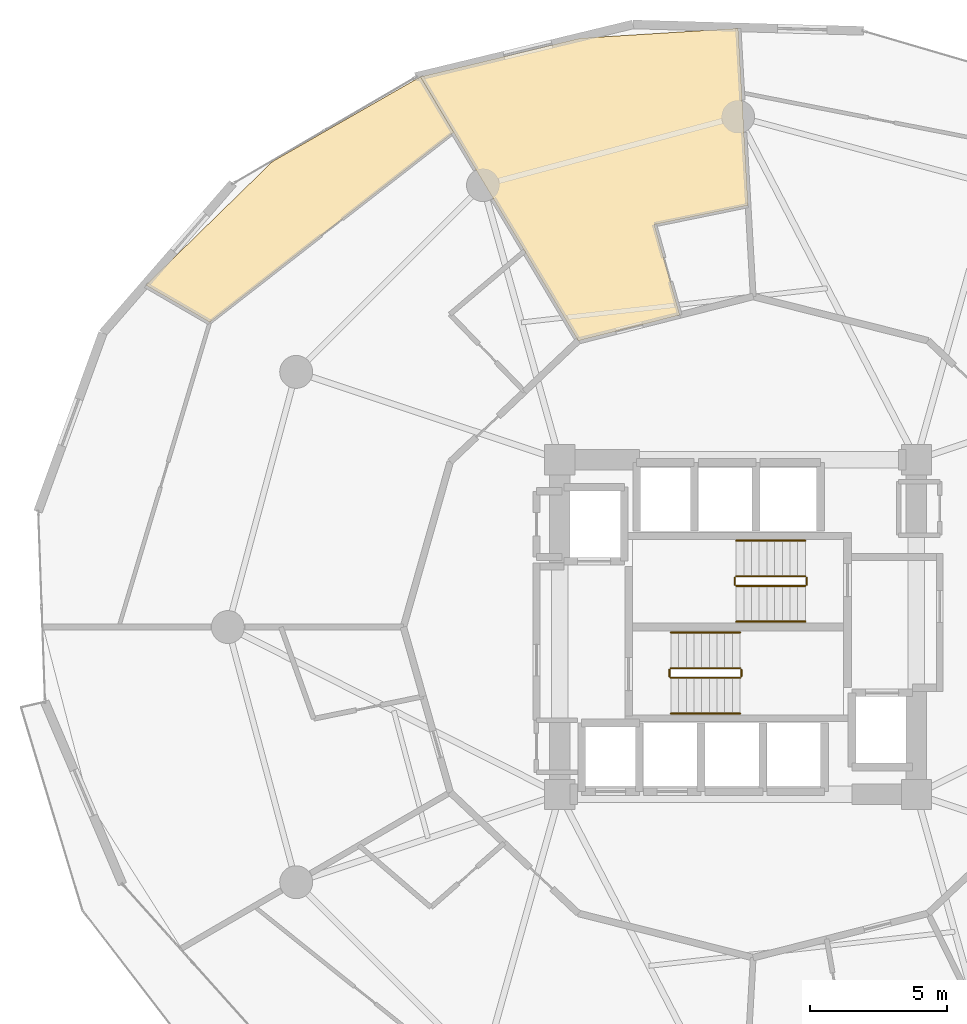
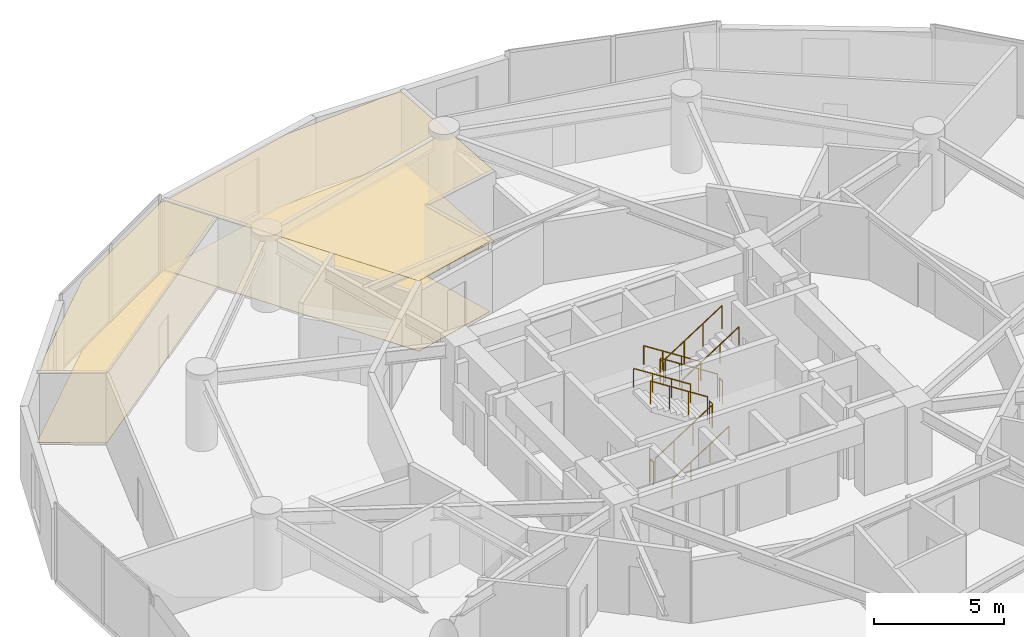
# One storey, part 22 of 23: 12 railings, 4 coverings.
"""IFC4 building model written with IfcOpenShell, lengths in metres."""

from ifc_helpers import new_model, si_unit, direction, frame, origin, origin_2d, place, context, subcontext, project, spatial, polyline, circle, outline, extrude, material, layer, layer_set, type_object, element, save


model = new_model("IFC4")

# Units and contexts
model_context = context("Model", 3, precision=1e-05, world=origin(), true_north=direction((0.0, 1.0)))
body_context = subcontext(model_context, "Body", "Model", "MODEL_VIEW")
ifc_project = project(units=[si_unit("LENGTHUNIT", "METRE"), si_unit("AREAUNIT", "SQUARE_METRE"), si_unit("VOLUMEUNIT", "CUBIC_METRE"), si_unit("PLANEANGLEUNIT", "RADIAN"), si_unit("MASSUNIT", "GRAM", prefix="KILO")], contexts=[model_context])

# Site, building, storey
site_placement = place(None, origin())
site = spatial("IfcSite", under=ifc_project, at=site_placement, CompositionType="ELEMENT")
building_placement = place(site_placement, origin())
building = spatial("IfcBuilding", under=site, at=building_placement, Name="Solvirekh Grand Hotel", CompositionType="ELEMENT")
storey_placement = place(building_placement, frame((0.0, 0.0, 42.800048828125)))
storey = spatial("IfcBuildingStorey", under=building, at=storey_placement, Name="L09", CompositionType="ELEMENT", Elevation=42.800048828125)

# Coverings
ifc_material_1 = material(Name="Acoustic Mineral Ceiling Tile")
ifc_layer_1 = layer(ifc_material_1, 0.02490234375)
ifc_layer_set_1 = layer_set([ifc_layer_1], Name="Acoustic Mineral Ceiling Tile")
covering_type_1 = type_object("IfcCoveringType", Name="Cov_Ceiling_Acoustic", PredefinedType="CEILING", material=ifc_layer_set_1)
covering_1_placement = place(storey_placement, frame((0.0, 0.0, 3.2900390625)))
element("IfcCovering", 1, at=covering_1_placement, inside=storey, type_object=covering_type_1, Name="L09 Deluxe Guestroom 1102 acoustic ceiling", PredefinedType="CEILING", context=body_context, shape_type="SweptSolid", body=[
    extrude(outline(polyline([(-3.056884765625, 14.672119140625), (0.363037109375, 15.3720703125), (0.0, 21.820068359375), (-5.7509765625, 21.4619140625), (-11.5791015625, 20.055908203125), (-5.824951171875, 10.43603515625), (-2.126953125, 11.3720703125), (-3.056884765625, 14.672119140625)])), origin(), (0.0, 0.0, 1.0), 0.017822265625),
])
covering_2_placement = place(storey_placement, frame((0.0, 0.0, 3.2900390625)))
element("IfcCovering", 2, at=covering_2_placement, inside=storey, type_object=covering_type_1, Name="L09 Executive Suite 1103 Master Bedroom acoustic ceiling", PredefinedType="CEILING", context=body_context, shape_type="SweptSolid", body=[
    extrude(outline(polyline([(-11.5791015625, 20.055908203125), (-16.969970703125, 16.969970703125), (-21.5859375, 12.462890625), (-19.256103515625, 11.111083984375), (-10.37109375, 18.035888671875), (-11.5791015625, 20.055908203125)])), origin(), (0.0, 0.0, 1.0), 0.017822265625),
])
ifc_material_2 = material(Name="Porcelain Stoneware Flooring", Category="masonry")
ifc_layer_2 = layer(ifc_material_2, 0.030029296875)
ifc_layer_set_2 = layer_set([ifc_layer_2], Name="Porcelain Stoneware Flooring")
covering_type_2 = type_object("IfcCoveringType", Name="Cov_Floor_Stone", PredefinedType="FLOORING", material=ifc_layer_set_2)
covering_3_placement = place(storey_placement, origin())
element("IfcCovering", 3, at=covering_3_placement, inside=storey, type_object=covering_type_2, Name="L09 Deluxe Guestroom 1102 polished granite flooring", PredefinedType="FLOORING", context=body_context, shape_type="SweptSolid", body=[
    extrude(outline(polyline([(-3.056884765625, 14.672119140625), (0.363037109375, 15.3720703125), (0.0, 21.820068359375), (-5.7509765625, 21.4619140625), (-11.5791015625, 20.055908203125), (-5.824951171875, 10.43603515625), (-2.126953125, 11.3720703125), (-3.056884765625, 14.672119140625)])), origin(), (0.0, 0.0, 1.0), 0.02001953125),
])
covering_4_placement = place(storey_placement, origin())
element("IfcCovering", 4, at=covering_4_placement, inside=storey, type_object=covering_type_2, Name="L09 Executive Suite 1103 Master Bedroom polished granite flooring", PredefinedType="FLOORING", context=body_context, shape_type="SweptSolid", body=[
    extrude(outline(polyline([(-11.5791015625, 20.055908203125), (-16.969970703125, 16.969970703125), (-21.5859375, 12.462890625), (-19.256103515625, 11.111083984375), (-10.37109375, 18.035888671875), (-11.5791015625, 20.055908203125)])), origin(), (0.0, 0.0, 1.0), 0.02001953125),
])

# Railings
ifc_material_3 = material(Name="Steel S355", Category="steel")
railing_type_1 = type_object("IfcRailingType", Name="Guard_Stair_1100", PredefinedType="GUARDRAIL", material=ifc_material_3)
railing_1_placement = place(storey_placement, frame((-2.449951171875, -1.85009765625, 0.179931640625)))
element("IfcRailing", 5, at=railing_1_placement, inside=storey, type_object=railing_type_1, Name="L09 ST-1 stair guard 1", PredefinedType="GUARDRAIL", context=body_context, shape_type="SweptSolid", body=[
    extrude(circle(Radius=0.02392578125, at=origin_2d()), frame((0.0, 0.0, 1.076171875), z_axis=(0.841162588446, 0.0, 0.540782303519), x_axis=(0.0, 1.0, 0.0)), (0.0, 0.0, 1.0), 2.995849609375),
    extrude(circle(Radius=0.02099609375, at=origin_2d()), origin(), (0.0, 0.0, 1.0), 1.052001953125),
    extrude(circle(Radius=0.02099609375, at=origin_2d()), frame((0.840087890625, 0.0, 0.5400390625)), (0.0, 0.0, 1.0), 1.052001953125),
    extrude(circle(Radius=0.02099609375, at=origin_2d()), frame((1.679931640625, 0.0, 1.080078125)), (0.0, 0.0, 1.0), 1.052001953125),
    extrude(circle(Radius=0.02099609375, at=origin_2d()), frame((2.52001953125, 0.0, 1.6201171875)), (0.0, 0.0, 1.0), 1.052001953125),
])
railing_2_placement = place(storey_placement, frame((0.1201171875, -1.800048828125, 1.800048828125)))
element("IfcRailing", 6, at=railing_2_placement, inside=storey, type_object=railing_type_1, Name="L09 ST-1 stair guard 2", PredefinedType="GUARDRAIL", context=body_context, shape_type="SweptSolid", body=[
    extrude(circle(Radius=0.02392578125, at=origin_2d()), frame((0.0, 0.0, 1.076171875), z_axis=(0.0, 1.0, 0.0), x_axis=(-1.0, 0.0, 0.0)), (0.0, 0.0, 1.0), 0.25),
    extrude(circle(Radius=0.02099609375, at=origin_2d()), origin(), (0.0, 0.0, 1.0), 1.052001953125),
    extrude(circle(Radius=0.02099609375, at=origin_2d()), frame((0.0, 0.25, 0.0)), (0.0, 0.0, 1.0), 1.052001953125),
])
railing_3_placement = place(storey_placement, frame((0.070068359375, -1.5, 1.97998046875)))
element("IfcRailing", 7, at=railing_3_placement, inside=storey, type_object=railing_type_1, Name="L09 ST-1 stair guard 3", PredefinedType="GUARDRAIL", context=body_context, shape_type="SweptSolid", body=[
    extrude(circle(Radius=0.02392578125, at=origin_2d()), frame((0.0, 0.0, 1.076171875), z_axis=(-0.841199657755, 0.0, 0.540724639528), x_axis=(0.0, -1.0, 0.0)), (0.0, 0.0, 1.0), 2.995849609375),
    extrude(circle(Radius=0.02099609375, at=origin_2d()), origin(), (0.0, 0.0, 1.0), 1.052001953125),
    extrude(circle(Radius=0.02099609375, at=origin_2d()), frame((-0.840087890625, 0.0, 0.5400390625)), (0.0, 0.0, 1.0), 1.052001953125),
    extrude(circle(Radius=0.02099609375, at=origin_2d()), frame((-1.679931640625, 0.0, 1.079833984375)), (0.0, 0.0, 1.0), 1.052001953125),
    extrude(circle(Radius=0.02099609375, at=origin_2d()), frame((-2.52001953125, 0.0, 1.619873046875)), (0.0, 0.0, 1.0), 1.052001953125),
])
railing_4_placement = place(storey_placement, frame((-2.5, -1.800048828125, 0.0)))
element("IfcRailing", 8, at=railing_4_placement, inside=storey, type_object=railing_type_1, Name="L09 ST-1 stair guard 4", PredefinedType="GUARDRAIL", context=body_context, shape_type="SweptSolid", body=[
    extrude(circle(Radius=0.02392578125, at=origin_2d()), frame((0.0, 0.0, 1.076171875), z_axis=(0.0, 1.0, 0.0), x_axis=(-1.0, 0.0, 0.0)), (0.0, 0.0, 1.0), 0.25),
    extrude(circle(Radius=0.02099609375, at=origin_2d()), origin(), (0.0, 0.0, 1.0), 1.052001953125),
    extrude(circle(Radius=0.02099609375, at=origin_2d()), frame((0.0, 0.25, 0.0)), (0.0, 0.0, 1.0), 1.052001953125),
])
railing_5_placement = place(storey_placement, frame((2.449951171875, 1.85009765625, 0.179931640625)))
element("IfcRailing", 9, at=railing_5_placement, inside=storey, type_object=railing_type_1, Name="L09 ST-2 stair guard 1", PredefinedType="GUARDRAIL", context=body_context, shape_type="SweptSolid", body=[
    extrude(circle(Radius=0.02392578125, at=origin_2d()), frame((0.0, 0.0, 1.076171875), z_axis=(-0.841162588446, 0.0, 0.540782303519), x_axis=(0.0, -1.0, 0.0)), (0.0, 0.0, 1.0), 2.995849609375),
    extrude(circle(Radius=0.02099609375, at=origin_2d()), origin(), (0.0, 0.0, 1.0), 1.052001953125),
    extrude(circle(Radius=0.02099609375, at=origin_2d()), frame((-0.840087890625, 0.0, 0.5400390625)), (0.0, 0.0, 1.0), 1.052001953125),
    extrude(circle(Radius=0.02099609375, at=origin_2d()), frame((-1.679931640625, 0.0, 1.080078125)), (0.0, 0.0, 1.0), 1.052001953125),
    extrude(circle(Radius=0.02099609375, at=origin_2d()), frame((-2.52001953125, 0.0, 1.6201171875)), (0.0, 0.0, 1.0), 1.052001953125),
])
railing_6_placement = place(storey_placement, frame((-0.1201171875, 1.800048828125, 1.800048828125)))
element("IfcRailing", 10, at=railing_6_placement, inside=storey, type_object=railing_type_1, Name="L09 ST-2 stair guard 2", PredefinedType="GUARDRAIL", context=body_context, shape_type="SweptSolid", body=[
    extrude(circle(Radius=0.02392578125, at=origin_2d()), frame((0.0, 0.0, 1.076171875), z_axis=(0.0, -1.0, 0.0), x_axis=(1.0, 0.0, 0.0)), (0.0, 0.0, 1.0), 0.25),
    extrude(circle(Radius=0.02099609375, at=origin_2d()), origin(), (0.0, 0.0, 1.0), 1.052001953125),
    extrude(circle(Radius=0.02099609375, at=origin_2d()), frame((0.0, -0.25, 0.0)), (0.0, 0.0, 1.0), 1.052001953125),
])
railing_7_placement = place(storey_placement, frame((-0.070068359375, 1.5, 1.97998046875)))
element("IfcRailing", 11, at=railing_7_placement, inside=storey, type_object=railing_type_1, Name="L09 ST-2 stair guard 3", PredefinedType="GUARDRAIL", context=body_context, shape_type="SweptSolid", body=[
    extrude(circle(Radius=0.02392578125, at=origin_2d()), frame((0.0, 0.0, 1.076171875), z_axis=(0.841199657755, 0.0, 0.540724639528), x_axis=(0.0, 1.0, 0.0)), (0.0, 0.0, 1.0), 2.995849609375),
    extrude(circle(Radius=0.02099609375, at=origin_2d()), origin(), (0.0, 0.0, 1.0), 1.052001953125),
    extrude(circle(Radius=0.02099609375, at=origin_2d()), frame((0.840087890625, 0.0, 0.5400390625)), (0.0, 0.0, 1.0), 1.052001953125),
    extrude(circle(Radius=0.02099609375, at=origin_2d()), frame((1.679931640625, 0.0, 1.079833984375)), (0.0, 0.0, 1.0), 1.052001953125),
    extrude(circle(Radius=0.02099609375, at=origin_2d()), frame((2.52001953125, 0.0, 1.619873046875)), (0.0, 0.0, 1.0), 1.052001953125),
])
railing_8_placement = place(storey_placement, frame((2.5, 1.800048828125, 0.0)))
element("IfcRailing", 12, at=railing_8_placement, inside=storey, type_object=railing_type_1, Name="L09 ST-2 stair guard 4", PredefinedType="GUARDRAIL", context=body_context, shape_type="SweptSolid", body=[
    extrude(circle(Radius=0.02392578125, at=origin_2d()), frame((0.0, 0.0, 1.076171875), z_axis=(0.0, -1.0, 0.0), x_axis=(1.0, 0.0, 0.0)), (0.0, 0.0, 1.0), 0.25),
    extrude(circle(Radius=0.02099609375, at=origin_2d()), origin(), (0.0, 0.0, 1.0), 1.052001953125),
    extrude(circle(Radius=0.02099609375, at=origin_2d()), frame((0.0, -0.25, 0.0)), (0.0, 0.0, 1.0), 1.052001953125),
])
ifc_material_4 = material(Name="Anodized Bronze Aluminium 6063-T6", Category="aluminium")
railing_type_2 = type_object("IfcRailingType", Name="Handrail_Wall_900", PredefinedType="HANDRAIL", material=ifc_material_4)
railing_9_placement = place(storey_placement, frame((-2.449951171875, -3.14990234375, 0.179931640625)))
element("IfcRailing", 13, at=railing_9_placement, inside=storey, type_object=railing_type_2, Name="L09 ST-1 stair handrail 1", PredefinedType="HANDRAIL", context=body_context, shape_type="SweptSolid", body=[
    extrude(circle(Radius=0.02392578125, at=origin_2d()), frame((0.0, 0.0, 0.8759765625), z_axis=(0.841162588446, 0.0, 0.540782303519), x_axis=(0.0, 1.0, 0.0)), (0.0, 0.0, 1.0), 2.995849609375),
    extrude(circle(Radius=0.02099609375, at=origin_2d()), origin(), (0.0, 0.0, 1.0), 0.851806640625),
    extrude(circle(Radius=0.02099609375, at=origin_2d()), frame((0.840087890625, 0.0, 0.5400390625)), (0.0, 0.0, 1.0), 0.851806640625),
    extrude(circle(Radius=0.02099609375, at=origin_2d()), frame((1.679931640625, 0.0, 1.080078125)), (0.0, 0.0, 1.0), 0.851806640625),
    extrude(circle(Radius=0.02099609375, at=origin_2d()), frame((2.52001953125, 0.0, 1.6201171875)), (0.0, 0.0, 1.0), 0.851806640625),
])
railing_10_placement = place(storey_placement, frame((0.070068359375, -0.199951171875, 1.97998046875)))
element("IfcRailing", 14, at=railing_10_placement, inside=storey, type_object=railing_type_2, Name="L09 ST-1 stair handrail 2", PredefinedType="HANDRAIL", context=body_context, shape_type="SweptSolid", body=[
    extrude(circle(Radius=0.02392578125, at=origin_2d()), frame((0.0, 0.0, 0.8759765625), z_axis=(-0.841199657755, 0.0, 0.540724639528), x_axis=(0.0, -1.0, 0.0)), (0.0, 0.0, 1.0), 2.995849609375),
    extrude(circle(Radius=0.02099609375, at=origin_2d()), origin(), (0.0, 0.0, 1.0), 0.851806640625),
    extrude(circle(Radius=0.02099609375, at=origin_2d()), frame((-0.840087890625, 0.0, 0.5400390625)), (0.0, 0.0, 1.0), 0.851806640625),
    extrude(circle(Radius=0.02099609375, at=origin_2d()), frame((-1.679931640625, 0.0, 1.079833984375)), (0.0, 0.0, 1.0), 0.851806640625),
    extrude(circle(Radius=0.02099609375, at=origin_2d()), frame((-2.52001953125, 0.0, 1.619873046875)), (0.0, 0.0, 1.0), 0.851806640625),
])
railing_11_placement = place(storey_placement, frame((2.449951171875, 3.14990234375, 0.179931640625)))
element("IfcRailing", 15, at=railing_11_placement, inside=storey, type_object=railing_type_2, Name="L09 ST-2 stair handrail 1", PredefinedType="HANDRAIL", context=body_context, shape_type="SweptSolid", body=[
    extrude(circle(Radius=0.02392578125, at=origin_2d()), frame((0.0, 0.0, 0.8759765625), z_axis=(-0.841162588446, 0.0, 0.540782303519), x_axis=(0.0, -1.0, 0.0)), (0.0, 0.0, 1.0), 2.995849609375),
    extrude(circle(Radius=0.02099609375, at=origin_2d()), origin(), (0.0, 0.0, 1.0), 0.851806640625),
    extrude(circle(Radius=0.02099609375, at=origin_2d()), frame((-0.840087890625, 0.0, 0.5400390625)), (0.0, 0.0, 1.0), 0.851806640625),
    extrude(circle(Radius=0.02099609375, at=origin_2d()), frame((-1.679931640625, 0.0, 1.080078125)), (0.0, 0.0, 1.0), 0.851806640625),
    extrude(circle(Radius=0.02099609375, at=origin_2d()), frame((-2.52001953125, 0.0, 1.6201171875)), (0.0, 0.0, 1.0), 0.851806640625),
])
railing_12_placement = place(storey_placement, frame((-0.070068359375, 0.199951171875, 1.97998046875)))
element("IfcRailing", 16, at=railing_12_placement, inside=storey, type_object=railing_type_2, Name="L09 ST-2 stair handrail 2", PredefinedType="HANDRAIL", context=body_context, shape_type="SweptSolid", body=[
    extrude(circle(Radius=0.02392578125, at=origin_2d()), frame((0.0, 0.0, 0.8759765625), z_axis=(0.841199657755, 0.0, 0.540724639528), x_axis=(0.0, 1.0, 0.0)), (0.0, 0.0, 1.0), 2.995849609375),
    extrude(circle(Radius=0.02099609375, at=origin_2d()), origin(), (0.0, 0.0, 1.0), 0.851806640625),
    extrude(circle(Radius=0.02099609375, at=origin_2d()), frame((0.840087890625, 0.0, 0.5400390625)), (0.0, 0.0, 1.0), 0.851806640625),
    extrude(circle(Radius=0.02099609375, at=origin_2d()), frame((1.679931640625, 0.0, 1.079833984375)), (0.0, 0.0, 1.0), 0.851806640625),
    extrude(circle(Radius=0.02099609375, at=origin_2d()), frame((2.52001953125, 0.0, 1.619873046875)), (0.0, 0.0, 1.0), 0.851806640625),
])

save(model, "model.ifc")
